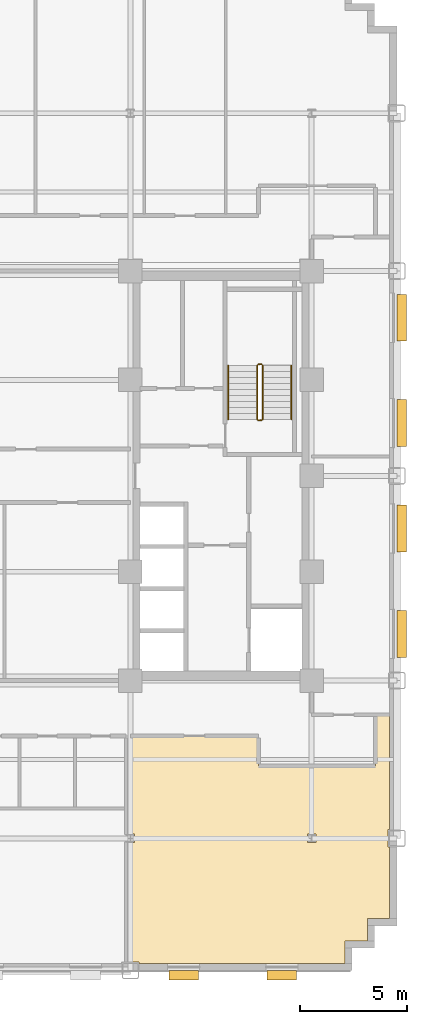
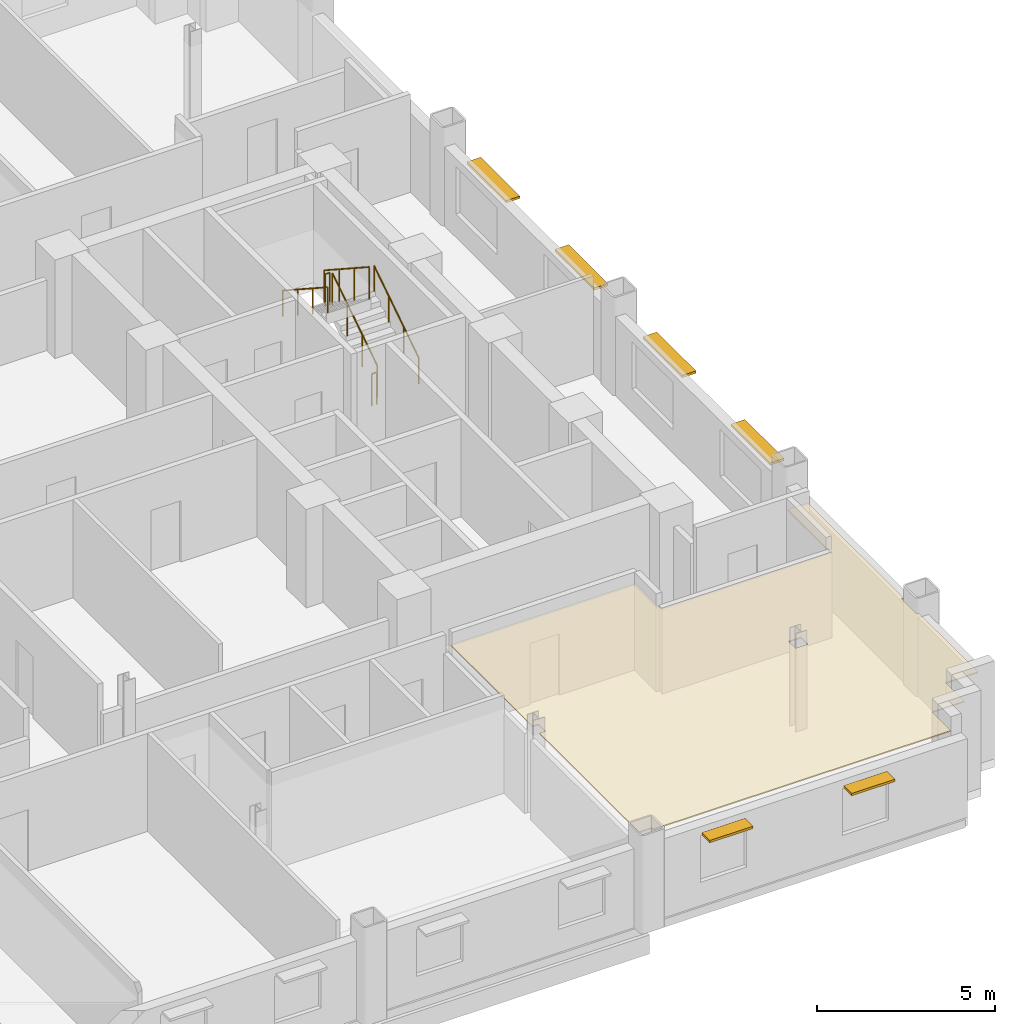
# One storey, part 13 of 14: 6 railings, 6 shading devices, 1 covering.
"""IFC4 building model written with IfcOpenShell, lengths in metres."""

from ifc_helpers import new_model, si_unit, direction, frame, origin, origin_2d, place, context, subcontext, project, spatial, polyline, rectangle, circle, outline, extrude, source, transform, mapped, material, layer, layer_set, type_object, type_shapes, element, save


model = new_model("IFC4")

# Units and contexts
model_context = context("Model", 3, precision=1e-05, world=origin(), true_north=direction((0.0, 1.0)))
body_context = subcontext(model_context, "Body", "Model", "MODEL_VIEW")
ifc_project = project(units=[si_unit("LENGTHUNIT", "METRE"), si_unit("AREAUNIT", "SQUARE_METRE"), si_unit("VOLUMEUNIT", "CUBIC_METRE"), si_unit("PLANEANGLEUNIT", "RADIAN"), si_unit("MASSUNIT", "GRAM", prefix="KILO")], contexts=[model_context])

# Site, building, storey
site_placement = place(None, origin())
site = spatial("IfcSite", under=ifc_project, at=site_placement, CompositionType="ELEMENT")
building_placement = place(site_placement, origin())
building = spatial("IfcBuilding", under=site, at=building_placement, Name="Nuvemarco Arch Tower", CompositionType="ELEMENT")
storey_placement = place(building_placement, frame((0.0, 0.0, 60.449951171875)))
storey = spatial("IfcBuildingStorey", under=building, at=storey_placement, Name="L15", CompositionType="ELEMENT", Elevation=60.449951171875)

# Covering
ifc_material_1 = material(Name="Mineral acoustic ceiling tile")
ifc_layer = layer(ifc_material_1, 0.0400390625, Name="COV-ACOUSTIC-CLG")
ifc_layer_set = layer_set([ifc_layer], Name="Mineral acoustic ceiling tile")
covering_type = type_object("IfcCoveringType", Name="COV-ACOUSTIC-CLG", PredefinedType="CEILING", material=ifc_layer_set)
covering_placement = place(storey_placement, frame((0.0, 0.0, 2.85009765625)))
element("IfcCovering", 1, at=covering_placement, inside=storey, type_object=covering_type, Name="L15 suspended acoustic ceiling 1", PredefinedType="CEILING", context=body_context, shape_type="SweptSolid", body=[
    extrude(outline(polyline([(19.06005859375, -22.860107421875), (9.4150390625, -22.860107421875), (9.4150390625, -22.784912109375), (9.0, -22.784912109375), (9.0, -17.195068359375), (9.195068359375, -17.195068359375), (9.195068359375, -16.804931640625), (9.0, -16.804931640625), (9.0, -12.199951171875), (15.0, -12.199951171875), (15.0, -13.60009765625), (20.5, -13.60009765625), (20.5, -11.199951171875), (21.159912109375, -11.199951171875), (21.159912109375, -16.5849609375), (21.0849609375, -16.5849609375), (21.0849609375, -17.4150390625), (21.159912109375, -17.4150390625), (21.159912109375, -20.760009765625), (20.110107421875, -20.760009765625), (20.110107421875, -21.81005859375), (19.06005859375, -21.81005859375), (19.06005859375, -22.860107421875)]), holes=[polyline([(17.695068359375, -17.195068359375), (17.695068359375, -16.804931640625), (17.304931640625, -16.804931640625), (17.304931640625, -17.195068359375), (17.695068359375, -17.195068359375)])]), origin(), (0.0, 0.0, 1.0), 0.0400390625),
])

# Railings
ifc_material_2 = material(Name="Brushed stainless steel handrail", Category="steel")
railing_type_1 = type_object("IfcRailingType", Name="RL-HANDRAIL-900", PredefinedType="HANDRAIL", material=ifc_material_2)
railing_1_placement = place(storey_placement, frame((16.550048828125, 2.64990234375, 0.1826171875)))
element("IfcRailing", 2, at=railing_1_placement, inside=storey, type_object=railing_type_1, Name="L15 ST-2 stair handrail 1", PredefinedType="HANDRAIL", context=body_context, shape_type="SweptSolid", body=[
    extrude(circle(Radius=0.02392578125, at=origin_2d()), frame((0.0, 0.0, 0.8759765625), z_axis=(0.0, 0.837786554691, 0.545997883492), x_axis=(-1.0, 0.0, 0.0)), (0.0, 0.0, 1.0), 3.008056640625),
    extrude(circle(Radius=0.02099609375, at=origin_2d()), origin(), (0.0, 0.0, 1.0), 0.851806640625),
    extrude(circle(Radius=0.02099609375, at=origin_2d()), frame((0.0, 0.840087890625, 0.54736328125)), (0.0, 0.0, 1.0), 0.851806640625),
    extrude(circle(Radius=0.02099609375, at=origin_2d()), frame((0.0, 1.679931640625, 1.094970703125)), (0.0, 0.0, 1.0), 0.851806640625),
    extrude(circle(Radius=0.02099609375, at=origin_2d()), frame((0.0, 2.52001953125, 1.642333984375)), (0.0, 0.0, 1.0), 0.851806640625),
])
railing_2_placement = place(storey_placement, frame((13.590087890625, 5.169921875, 2.007568359375)))
element("IfcRailing", 3, at=railing_2_placement, inside=storey, type_object=railing_type_1, Name="L15 ST-2 stair handrail 2", PredefinedType="HANDRAIL", context=body_context, shape_type="SweptSolid", body=[
    extrude(circle(Radius=0.02392578125, at=origin_2d()), frame((0.0, 0.0, 0.8759765625), z_axis=(0.0, -0.837749427056, 0.546054848405), x_axis=(1.0, 0.0, 0.0)), (0.0, 0.0, 1.0), 3.008056640625),
    extrude(circle(Radius=0.02099609375, at=origin_2d()), origin(), (0.0, 0.0, 1.0), 0.851806640625),
    extrude(circle(Radius=0.02099609375, at=origin_2d()), frame((0.0, -0.840087890625, 0.547607421875)), (0.0, 0.0, 1.0), 0.851806640625),
    extrude(circle(Radius=0.02099609375, at=origin_2d()), frame((0.0, -1.679931640625, 1.094970703125)), (0.0, 0.0, 1.0), 0.851806640625),
    extrude(circle(Radius=0.02099609375, at=origin_2d()), frame((0.0, -2.52001953125, 1.642578125)), (0.0, 0.0, 1.0), 0.851806640625),
])
ifc_material_3 = material(Name="Painted balustrade steel S355", Category="steel")
railing_type_2 = type_object("IfcRailingType", Name="RL-STAIR-GUARD", PredefinedType="GUARDRAIL", material=ifc_material_3)
railing_3_placement = place(storey_placement, frame((15.199951171875, 2.64990234375, 0.1826171875)))
element("IfcRailing", 4, at=railing_3_placement, inside=storey, type_object=railing_type_2, Name="L15 ST-2 stair guard 1", PredefinedType="GUARDRAIL", context=body_context, shape_type="SweptSolid", body=[
    extrude(circle(Radius=0.02392578125, at=origin_2d()), frame((0.0, 0.0, 1.09619140625), z_axis=(0.0, 0.837786554691, 0.545997883492), x_axis=(-1.0, 0.0, 0.0)), (0.0, 0.0, 1.0), 3.008056640625),
    extrude(circle(Radius=0.02099609375, at=origin_2d()), origin(), (0.0, 0.0, 1.0), 1.072021484375),
    extrude(circle(Radius=0.02099609375, at=origin_2d()), frame((0.0, 0.840087890625, 0.54736328125)), (0.0, 0.0, 1.0), 1.072021484375),
    extrude(circle(Radius=0.02099609375, at=origin_2d()), frame((0.0, 1.679931640625, 1.094970703125)), (0.0, 0.0, 1.0), 1.072021484375),
    extrude(circle(Radius=0.02099609375, at=origin_2d()), frame((0.0, 2.52001953125, 1.642333984375)), (0.0, 0.0, 1.0), 1.072021484375),
])
railing_4_placement = place(storey_placement, frame((15.14990234375, 5.219970703125, 1.824951171875)))
element("IfcRailing", 5, at=railing_4_placement, inside=storey, type_object=railing_type_2, Name="L15 ST-2 stair guard 2", PredefinedType="GUARDRAIL", context=body_context, shape_type="SweptSolid", body=[
    extrude(circle(Radius=0.02392578125, at=origin_2d()), frame((0.0, 0.0, 1.09619140625), z_axis=(-1.0, 0.0, 0.0), x_axis=(0.0, -1.0, 0.0)), (0.0, 0.0, 1.0), 0.159912109375),
    extrude(circle(Radius=0.02099609375, at=origin_2d()), origin(), (0.0, 0.0, 1.0), 1.072021484375),
    extrude(circle(Radius=0.02099609375, at=origin_2d()), frame((-0.159912109375, 0.0, 0.0)), (0.0, 0.0, 1.0), 1.072021484375),
])
railing_5_placement = place(storey_placement, frame((14.93994140625, 5.169921875, 2.007568359375)))
element("IfcRailing", 6, at=railing_5_placement, inside=storey, type_object=railing_type_2, Name="L15 ST-2 stair guard 3", PredefinedType="GUARDRAIL", context=body_context, shape_type="SweptSolid", body=[
    extrude(circle(Radius=0.02392578125, at=origin_2d()), frame((0.0, 0.0, 1.09619140625), z_axis=(0.0, -0.837749427056, 0.546054848405), x_axis=(1.0, 0.0, 0.0)), (0.0, 0.0, 1.0), 3.008056640625),
    extrude(circle(Radius=0.02099609375, at=origin_2d()), origin(), (0.0, 0.0, 1.0), 1.072021484375),
    extrude(circle(Radius=0.02099609375, at=origin_2d()), frame((0.0, -0.840087890625, 0.547607421875)), (0.0, 0.0, 1.0), 1.072021484375),
    extrude(circle(Radius=0.02099609375, at=origin_2d()), frame((0.0, -1.679931640625, 1.094970703125)), (0.0, 0.0, 1.0), 1.072021484375),
    extrude(circle(Radius=0.02099609375, at=origin_2d()), frame((0.0, -2.52001953125, 1.642578125)), (0.0, 0.0, 1.0), 1.072021484375),
])
railing_6_placement = place(storey_placement, frame((15.14990234375, 2.60009765625, 0.0)))
element("IfcRailing", 7, at=railing_6_placement, inside=storey, type_object=railing_type_2, Name="L15 ST-2 stair guard 4", PredefinedType="GUARDRAIL", context=body_context, shape_type="SweptSolid", body=[
    extrude(circle(Radius=0.02392578125, at=origin_2d()), frame((0.0, 0.0, 1.09619140625), z_axis=(-1.0, 0.0, 0.0), x_axis=(0.0, -1.0, 0.0)), (0.0, 0.0, 1.0), 0.159912109375),
    extrude(circle(Radius=0.02099609375, at=origin_2d()), origin(), (0.0, 0.0, 1.0), 1.072021484375),
    extrude(circle(Radius=0.02099609375, at=origin_2d()), frame((-0.159912109375, 0.0, 0.0)), (0.0, 0.0, 1.0), 1.072021484375),
])

# Shading devices
ifc_material_4 = material(Name="Anodised aluminium 6063-T6", Category="aluminium")
shading_device_type_1 = type_object("IfcShadingDeviceType", Name="SHD-BRISE-SOLEIL", PredefinedType="USERDEFINED", material=ifc_material_4)
shared_shape_1 = source(origin(), body_context, "Body", "SweptSolid", [
    extrude(rectangle(XDim=2.199951171875, YDim=0.449951171875, at=origin_2d()), origin(), (0.0, 0.0, 1.0), 0.080078125),
])
type_shapes(shading_device_type_1, [shared_shape_1])
for number, where, z_axis, x_axis, name in (
    (8, (21.715087890625, -7.41162109375, 2.425048828125), (0.0, 0.0, 1.0), (0.0, 1.0, 0.0), "L15 horizontal brise-soleil sunshade"),
    (9, (21.715087890625, -2.470458984375, 2.425048828125), (0.0, 0.0, 1.0), (0.0, 1.0, 0.0), "L15 horizontal brise-soleil sunshade"),
    (10, (21.715087890625, 2.470458984375, 2.425048828125), (0.0, 0.0, 1.0), (0.0, 1.0, 0.0), "L15 horizontal brise-soleil sunshade"),
    (11, (21.715087890625, 7.41162109375, 2.425048828125), (0.0, 0.0, 1.0), (0.0, 1.0, 0.0), "L15 horizontal brise-soleil sunshade"),
):
    element("IfcShadingDevice", number, at=place(storey_placement, frame(where, z_axis=z_axis, x_axis=x_axis)), inside=storey, type_object=shading_device_type_1, Name=name, ObjectType="SUNSHADE", PredefinedType="USERDEFINED", context=body_context, shape_type="MappedRepresentation", body=[
        mapped(shared_shape_1, transform((0.0, 0.0, 0.0), scale=1.0)),
    ])
shading_device_type_2 = type_object("IfcShadingDeviceType", Name="SHD-BRISE-NARROW", PredefinedType="USERDEFINED", material=ifc_material_4)
shared_shape_2 = source(origin(), body_context, "Body", "SweptSolid", [
    extrude(rectangle(XDim=1.39990234375, YDim=0.449951171875, at=origin_2d()), origin(), (0.0, 0.0, 1.0), 0.080078125),
])
type_shapes(shading_device_type_2, [shared_shape_2])
for number, where, z_axis, x_axis, name in (
    (12, (11.5, -23.4150390625, 2.405029296875), (0.0, 0.0, 1.0), (1.0, 0.0, 0.0), "L15 horizontal brise-soleil sunshade"),
    (13, (16.10009765625, -23.4150390625, 2.405029296875), (0.0, 0.0, 1.0), (1.0, 0.0, 0.0), "L15 horizontal brise-soleil sunshade"),
):
    element("IfcShadingDevice", number, at=place(storey_placement, frame(where, z_axis=z_axis, x_axis=x_axis)), inside=storey, type_object=shading_device_type_2, Name=name, ObjectType="SUNSHADE", PredefinedType="USERDEFINED", context=body_context, shape_type="MappedRepresentation", body=[
        mapped(shared_shape_2, transform((0.0, 0.0, 0.0), scale=1.0)),
    ])

save(model, "model.ifc")
